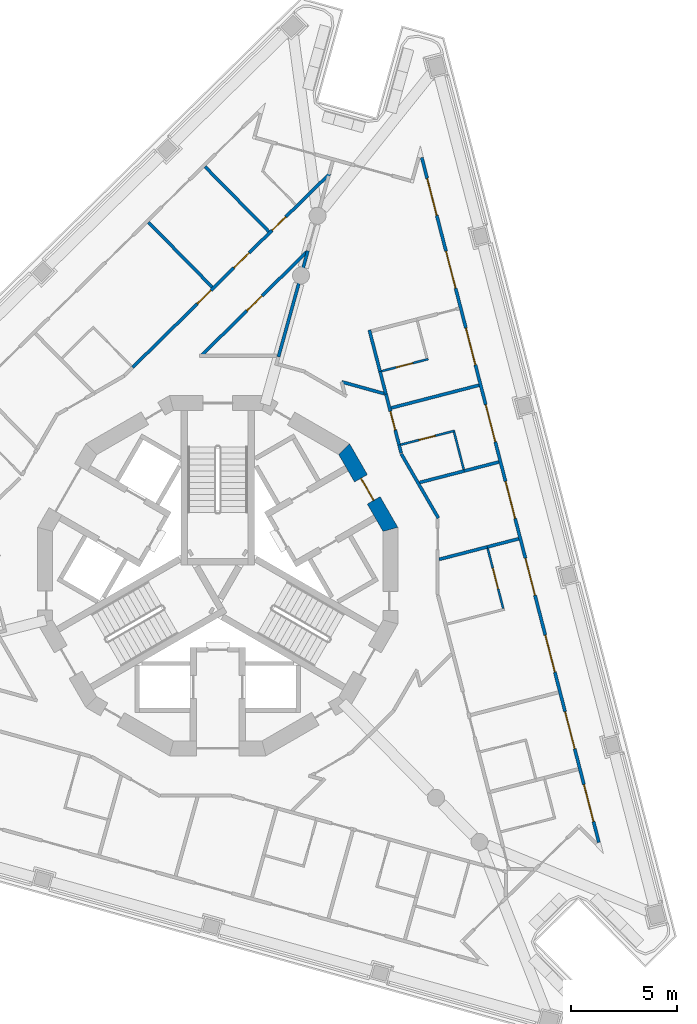
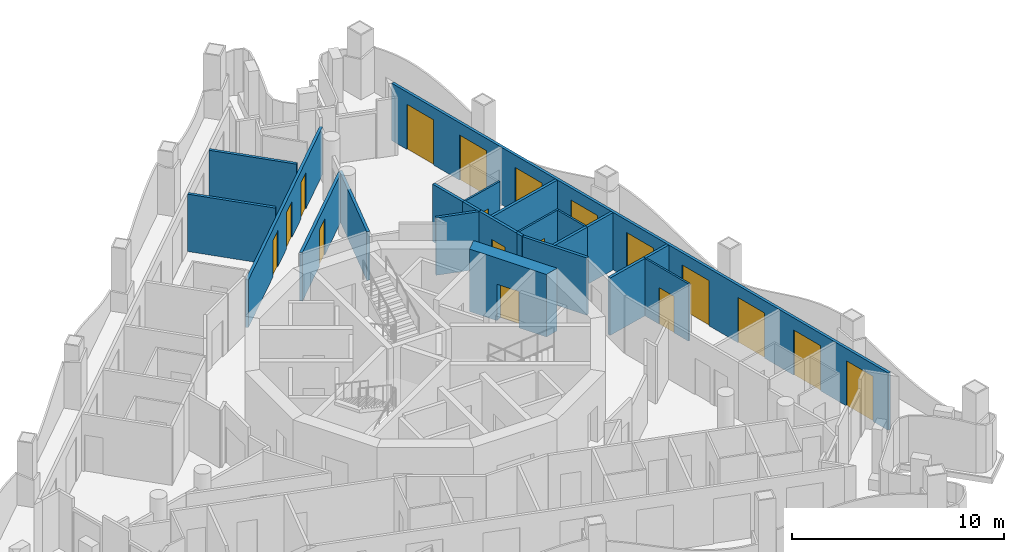
# One storey, part 7 of 14: 22 walls, 18 doors, 18 openings.
"""IFC4 building model written with IfcOpenShell, lengths in metres."""

from ifc_helpers import new_model, si_unit, direction, frame, frame_2d, origin, place, context, subcontext, project, spatial, polyline, rectangle, outline, extrude, material, layer, layer_set, type_object, element, fill, save


model = new_model("IFC4")

# Units and contexts
model_context = context("Model", 3, precision=1e-05, world=origin(), true_north=direction((0.0, 1.0)))
body_context = subcontext(model_context, "Body", "Model", "MODEL_VIEW")
ifc_project = project(units=[si_unit("LENGTHUNIT", "METRE"), si_unit("AREAUNIT", "SQUARE_METRE"), si_unit("VOLUMEUNIT", "CUBIC_METRE"), si_unit("PLANEANGLEUNIT", "RADIAN"), si_unit("MASSUNIT", "GRAM", prefix="KILO")], contexts=[model_context])

# Site, building, storey
site_placement = place(None, origin())
site = spatial("IfcSite", under=ifc_project, at=site_placement, CompositionType="ELEMENT")
building_placement = place(site_placement, origin())
building = spatial("IfcBuilding", under=site, at=building_placement, Name="Trine Commons Tower", CompositionType="ELEMENT")
storey_placement = place(building_placement, frame((0.0, 0.0, 245.699951171875)))
storey = spatial("IfcBuildingStorey", under=building, at=storey_placement, Name="L64", CompositionType="ELEMENT", Elevation=245.699951171875)

# Wall, openings, doors
ifc_material_1 = material(Name="Aluminium-framed insulated wall panel", Category="aluminium")
ifc_layer_1 = layer(ifc_material_1, 0.14990234375)
ifc_layer_set_1 = layer_set([ifc_layer_1], Name="Aluminium-framed insulated wall panel")
wall_type_1 = type_object("IfcWallType", Name="Glazed frame wall 150, EI 60", PredefinedType="SOLIDWALL", material=ifc_layer_set_1)
wall_1_placement = place(storey_placement, frame((89.59130859375, 82.377685546875, 0.0), z_axis=(0.0, 0.0, 1.0), x_axis=(0.250378839788, -0.968147941477, 0.0)))
wall_1 = element("IfcWall", 1, at=wall_1_placement, inside=storey, type_object=wall_type_1, Name="Glazed frame wall F2", PredefinedType="SOLIDWALL", context=body_context, shape_type="SweptSolid", body=[
    extrude(outline(polyline([(0.1494140625, 0.074951171875), (0.1494140625, -0.074951171875), (33.536865234375, -0.074951171875), (33.536865234375, 0.074951171875), (0.1494140625, 0.074951171875)])), origin(), (0.0, 0.0, 1.0), 3.300048828125),
])
opening_1_placement = place(wall_1_placement, frame((1.17138671875, 0.0, 0.0)))
opening_1 = element("IfcOpeningElement", 2, at=opening_1_placement, cuts=wall_1, Name="Opening BD-7F2-01", PredefinedType="OPENING", context=body_context, shape_type="SweptSolid", body=[
    extrude(rectangle(XDim=1.800048828125, YDim=2.60009765625, at=frame_2d((0.89990234375, 1.300048828125))), frame((0.0, 0.0849609375, 0.0), z_axis=(0.0, -1.0, 0.0), x_axis=(1.0, 0.0, 0.0)), (0.0, 0.0, 1.0), 0.169921875),
])
opening_2_placement = place(wall_1_placement, frame((4.71435546875, 0.0, 0.0)))
opening_2 = element("IfcOpeningElement", 3, at=opening_2_placement, cuts=wall_1, Name="Opening BD-7F2-02", PredefinedType="OPENING", context=body_context, shape_type="SweptSolid", body=[
    extrude(rectangle(XDim=1.800048828125, YDim=2.60009765625, at=frame_2d((0.89990234375, 1.300048828125))), frame((0.0, 0.0849609375, 0.0), z_axis=(0.0, -1.0, 0.0), x_axis=(1.0, 0.0, 0.0)), (0.0, 0.0, 1.0), 0.169921875),
])
opening_3_placement = place(wall_1_placement, frame((8.457275390625, 0.0, 0.0)))
opening_3 = element("IfcOpeningElement", 4, at=opening_3_placement, cuts=wall_1, Name="Opening BD-7F2-03", PredefinedType="OPENING", context=body_context, shape_type="SweptSolid", body=[
    extrude(rectangle(XDim=1.800048828125, YDim=2.60009765625, at=frame_2d((0.89990234375, 1.300048828125))), frame((0.0, 0.0849609375, 0.0), z_axis=(0.0, -1.0, 0.0), x_axis=(1.0, 0.0, 0.0)), (0.0, 0.0, 1.0), 0.169921875),
])
opening_4_placement = place(wall_1_placement, frame((12.2001953125, 0.0, 0.0)))
opening_4 = element("IfcOpeningElement", 5, at=opening_4_placement, cuts=wall_1, Name="Opening BD-7F2-04", PredefinedType="OPENING", context=body_context, shape_type="SweptSolid", body=[
    extrude(rectangle(XDim=1.800048828125, YDim=2.60009765625, at=frame_2d((0.89990234375, 1.300048828125))), frame((0.0, 0.0849609375, 0.0), z_axis=(0.0, -1.0, 0.0), x_axis=(1.0, 0.0, 0.0)), (0.0, 0.0, 1.0), 0.169921875),
])
opening_5_placement = place(wall_1_placement, frame((15.943115234375, 0.0, 0.0)))
opening_5 = element("IfcOpeningElement", 6, at=opening_5_placement, cuts=wall_1, Name="Opening BD-7F2-05", PredefinedType="OPENING", context=body_context, shape_type="SweptSolid", body=[
    extrude(rectangle(XDim=1.800048828125, YDim=2.60009765625, at=frame_2d((0.89990234375, 1.300048828125))), frame((0.0, 0.0849609375, 0.0), z_axis=(0.0, -1.0, 0.0), x_axis=(1.0, 0.0, 0.0)), (0.0, 0.0, 1.0), 0.169921875),
])
opening_6_placement = place(wall_1_placement, frame((19.68603515625, 0.0, 0.0)))
opening_6 = element("IfcOpeningElement", 7, at=opening_6_placement, cuts=wall_1, Name="Opening BD-7F2-06", PredefinedType="OPENING", context=body_context, shape_type="SweptSolid", body=[
    extrude(rectangle(XDim=1.800048828125, YDim=2.60009765625, at=frame_2d((0.89990234375, 1.300048828125))), frame((0.0, 0.0849609375, 0.0), z_axis=(0.0, -1.0, 0.0), x_axis=(1.0, 0.0, 0.0)), (0.0, 0.0, 1.0), 0.169921875),
])
opening_7_placement = place(wall_1_placement, frame((23.428955078125, 0.0, 0.0)))
opening_7 = element("IfcOpeningElement", 8, at=opening_7_placement, cuts=wall_1, Name="Opening BD-7F2-07", PredefinedType="OPENING", context=body_context, shape_type="SweptSolid", body=[
    extrude(rectangle(XDim=1.800048828125, YDim=2.60009765625, at=frame_2d((0.89990234375, 1.300048828125))), frame((0.0, 0.0849609375, 0.0), z_axis=(0.0, -1.0, 0.0), x_axis=(1.0, 0.0, 0.0)), (0.0, 0.0, 1.0), 0.169921875),
])
opening_8_placement = place(wall_1_placement, frame((27.171875, 0.0, 0.0)))
opening_8 = element("IfcOpeningElement", 9, at=opening_8_placement, cuts=wall_1, Name="Opening BD-7F2-08", PredefinedType="OPENING", context=body_context, shape_type="SweptSolid", body=[
    extrude(rectangle(XDim=1.800048828125, YDim=2.60009765625, at=frame_2d((0.89990234375, 1.300048828125))), frame((0.0, 0.0849609375, 0.0), z_axis=(0.0, -1.0, 0.0), x_axis=(1.0, 0.0, 0.0)), (0.0, 0.0, 1.0), 0.169921875),
])
opening_9_placement = place(wall_1_placement, frame((30.714599609375, 0.0, 0.0)))
opening_9 = element("IfcOpeningElement", 10, at=opening_9_placement, cuts=wall_1, Name="Opening BD-7F2-09", PredefinedType="OPENING", context=body_context, shape_type="SweptSolid", body=[
    extrude(rectangle(XDim=1.800048828125, YDim=2.60009765625, at=frame_2d((0.89990234375, 1.300048828125))), frame((0.0, 0.0849609375, 0.0), z_axis=(0.0, -1.0, 0.0), x_axis=(1.0, 0.0, 0.0)), (0.0, 0.0, 1.0), 0.169921875),
])
ifc_material_2 = material(Name="Anodised aluminium frame with double glazing", Category="aluminium")
door_type_1 = type_object("IfcDoorType", Name="Sliding loggia door 1800x2600", OperationType="SLIDING_TO_LEFT", PredefinedType="DOOR", material=ifc_material_2)
door_1_placement = place(opening_1_placement, origin())
door_1 = element("IfcDoor", 11, at=door_1_placement, inside=storey, type_object=door_type_1, Name="Loggia door F2 1", OperationType="SLIDING_TO_LEFT", OverallHeight=2.60009765625, OverallWidth=1.800048828125, PredefinedType="DOOR", context=body_context, shape_type="SweptSolid", body=[
    extrude(rectangle(XDim=1.800048828125, YDim=2.60009765625, at=frame_2d((0.89990234375, 1.300048828125))), frame((0.0, 0.02490234375, 0.0), z_axis=(0.0, -1.0, 0.0), x_axis=(1.0, 0.0, 0.0)), (0.0, 0.0, 1.0), 0.050048828125),
])
fill(opening_1, door_1)
door_2_placement = place(opening_2_placement, origin())
door_2 = element("IfcDoor", 12, at=door_2_placement, inside=storey, type_object=door_type_1, Name="Loggia door F2 2", OperationType="SLIDING_TO_LEFT", OverallHeight=2.60009765625, OverallWidth=1.800048828125, PredefinedType="DOOR", context=body_context, shape_type="SweptSolid", body=[
    extrude(rectangle(XDim=1.800048828125, YDim=2.60009765625, at=frame_2d((0.89990234375, 1.300048828125))), frame((0.0, 0.02490234375, 0.0), z_axis=(0.0, -1.0, 0.0), x_axis=(1.0, 0.0, 0.0)), (0.0, 0.0, 1.0), 0.050048828125),
])
fill(opening_2, door_2)
door_3_placement = place(opening_3_placement, origin())
door_3 = element("IfcDoor", 13, at=door_3_placement, inside=storey, type_object=door_type_1, Name="Loggia door F2 3", OperationType="SLIDING_TO_LEFT", OverallHeight=2.60009765625, OverallWidth=1.800048828125, PredefinedType="DOOR", context=body_context, shape_type="SweptSolid", body=[
    extrude(rectangle(XDim=1.800048828125, YDim=2.60009765625, at=frame_2d((0.89990234375, 1.300048828125))), frame((0.0, 0.02490234375, 0.0), z_axis=(0.0, -1.0, 0.0), x_axis=(1.0, 0.0, 0.0)), (0.0, 0.0, 1.0), 0.050048828125),
])
fill(opening_3, door_3)
door_4_placement = place(opening_4_placement, origin())
door_4 = element("IfcDoor", 14, at=door_4_placement, inside=storey, type_object=door_type_1, Name="Loggia door F2 4", OperationType="SLIDING_TO_LEFT", OverallHeight=2.60009765625, OverallWidth=1.800048828125, PredefinedType="DOOR", context=body_context, shape_type="SweptSolid", body=[
    extrude(rectangle(XDim=1.800048828125, YDim=2.60009765625, at=frame_2d((0.89990234375, 1.300048828125))), frame((0.0, 0.02490234375, 0.0), z_axis=(0.0, -1.0, 0.0), x_axis=(1.0, 0.0, 0.0)), (0.0, 0.0, 1.0), 0.050048828125),
])
fill(opening_4, door_4)
door_5_placement = place(opening_5_placement, origin())
door_5 = element("IfcDoor", 15, at=door_5_placement, inside=storey, type_object=door_type_1, Name="Loggia door F2 5", OperationType="SLIDING_TO_LEFT", OverallHeight=2.60009765625, OverallWidth=1.800048828125, PredefinedType="DOOR", context=body_context, shape_type="SweptSolid", body=[
    extrude(rectangle(XDim=1.800048828125, YDim=2.60009765625, at=frame_2d((0.89990234375, 1.300048828125))), frame((0.0, 0.02490234375, 0.0), z_axis=(0.0, -1.0, 0.0), x_axis=(1.0, 0.0, 0.0)), (0.0, 0.0, 1.0), 0.050048828125),
])
fill(opening_5, door_5)
door_6_placement = place(opening_6_placement, origin())
door_6 = element("IfcDoor", 16, at=door_6_placement, inside=storey, type_object=door_type_1, Name="Loggia door F2 6", OperationType="SLIDING_TO_LEFT", OverallHeight=2.60009765625, OverallWidth=1.800048828125, PredefinedType="DOOR", context=body_context, shape_type="SweptSolid", body=[
    extrude(rectangle(XDim=1.800048828125, YDim=2.60009765625, at=frame_2d((0.89990234375, 1.300048828125))), frame((0.0, 0.02490234375, 0.0), z_axis=(0.0, -1.0, 0.0), x_axis=(1.0, 0.0, 0.0)), (0.0, 0.0, 1.0), 0.050048828125),
])
fill(opening_6, door_6)
door_7_placement = place(opening_7_placement, origin())
door_7 = element("IfcDoor", 17, at=door_7_placement, inside=storey, type_object=door_type_1, Name="Loggia door F2 7", OperationType="SLIDING_TO_LEFT", OverallHeight=2.60009765625, OverallWidth=1.800048828125, PredefinedType="DOOR", context=body_context, shape_type="SweptSolid", body=[
    extrude(rectangle(XDim=1.800048828125, YDim=2.60009765625, at=frame_2d((0.89990234375, 1.300048828125))), frame((0.0, 0.02490234375, 0.0), z_axis=(0.0, -1.0, 0.0), x_axis=(1.0, 0.0, 0.0)), (0.0, 0.0, 1.0), 0.050048828125),
])
fill(opening_7, door_7)
door_8_placement = place(opening_8_placement, origin())
door_8 = element("IfcDoor", 18, at=door_8_placement, inside=storey, type_object=door_type_1, Name="Loggia door F2 8", OperationType="SLIDING_TO_LEFT", OverallHeight=2.60009765625, OverallWidth=1.800048828125, PredefinedType="DOOR", context=body_context, shape_type="SweptSolid", body=[
    extrude(rectangle(XDim=1.800048828125, YDim=2.60009765625, at=frame_2d((0.89990234375, 1.300048828125))), frame((0.0, 0.02490234375, 0.0), z_axis=(0.0, -1.0, 0.0), x_axis=(1.0, 0.0, 0.0)), (0.0, 0.0, 1.0), 0.050048828125),
])
fill(opening_8, door_8)
door_9_placement = place(opening_9_placement, origin())
door_9 = element("IfcDoor", 19, at=door_9_placement, inside=storey, type_object=door_type_1, Name="Loggia door F2 9", OperationType="SLIDING_TO_LEFT", OverallHeight=2.60009765625, OverallWidth=1.800048828125, PredefinedType="DOOR", context=body_context, shape_type="SweptSolid", body=[
    extrude(rectangle(XDim=1.800048828125, YDim=2.60009765625, at=frame_2d((0.89990234375, 1.300048828125))), frame((0.0, 0.02490234375, 0.0), z_axis=(0.0, -1.0, 0.0), x_axis=(1.0, 0.0, 0.0)), (0.0, 0.0, 1.0), 0.050048828125),
])
fill(opening_9, door_9)

# Wall, opening, door
ifc_material_3 = material(Name="Concrete C50/60", Category="concrete")
ifc_layer_2 = layer(ifc_material_3, 0.699951171875)
ifc_layer_set_2 = layer_set([ifc_layer_2], Name="Concrete C50/60")
wall_type_2 = type_object("IfcWallType", Name="RC shear wall 700 mm, C50/60", PredefinedType="SHEAR", material=ifc_layer_set_2)
wall_2_placement = place(storey_placement, frame((88.197021484375, 64.6025390625, 0.0), z_axis=(0.0, 0.0, 1.0), x_axis=(-0.499983800959, 0.866034756103, 0.0)))
wall_2 = element("IfcWall", 20, at=wall_2_placement, inside=storey, type_object=wall_type_2, Name="Core wall CWG-02 L64", PredefinedType="SHEAR", context=body_context, shape_type="SweptSolid", body=[
    extrude(outline(polyline([(0.0, -0.35009765625), (4.55517578125, -0.35009765625), (4.36767578125, 0.35009765625), (0.1875, 0.35009765625), (0.0, -0.35009765625)])), origin(), (0.0, 0.0, 1.0), 3.60009765625),
])
opening_10_placement = place(wall_2_placement, frame((1.677490234375, 0.0, 0.0)))
opening_10 = element("IfcOpeningElement", 21, at=opening_10_placement, cuts=wall_2, Name="Opening K16.04", PredefinedType="OPENING", context=body_context, shape_type="SweptSolid", body=[
    extrude(rectangle(XDim=1.199951171875, YDim=2.10009765625, at=frame_2d((0.60009765625, 1.050048828125))), frame((0.0, 0.35986328125, 0.0), z_axis=(0.0, -1.0, 0.0), x_axis=(1.0, 0.0, 0.0)), (0.0, 0.0, 1.0), 0.719970703125),
])
ifc_material_4 = material(Name="Steel door leaves, fire-rated", Category="steel")
door_type_2 = type_object("IfcDoorType", Name="Lobby door, double leaf 1200 x 2100, FD60", OperationType="DOUBLE_DOOR_SINGLE_SWING", PredefinedType="DOOR", material=ifc_material_4)
door_10_placement = place(opening_10_placement, origin())
door_10 = element("IfcDoor", 22, at=door_10_placement, inside=storey, type_object=door_type_2, Name="Lobby door, Core lounge L64", OperationType="DOUBLE_DOOR_SINGLE_SWING", OverallHeight=2.10009765625, OverallWidth=1.199951171875, PredefinedType="DOOR", context=body_context, shape_type="SweptSolid", body=[
    extrude(rectangle(XDim=1.199951171875, YDim=2.10009765625, at=frame_2d((0.60009765625, 1.050048828125))), frame((0.0, 0.02490234375, 0.0), z_axis=(0.0, -1.0, 0.0), x_axis=(1.0, 0.0, 0.0)), (0.0, 0.0, 1.0), 0.050048828125),
])
fill(opening_10, door_10)

# Wall, openings, doors
ifc_material_5 = material(Name="Gypsum plasterboard on steel stud", Category="steel")
ifc_layer_3 = layer(ifc_material_5, 0.14990234375)
ifc_layer_set_3 = layer_set([ifc_layer_3], Name="Gypsum plasterboard on steel stud")
wall_type_3 = type_object("IfcWallType", Name="Unit and corridor wall 150 mm, EI 60", PredefinedType="PARTITIONING", material=ifc_layer_set_3)
wall_3_placement = place(storey_placement, frame((75.97705078125, 72.324951171875, 0.0), z_axis=(0.0, 0.0, 1.0), x_axis=(0.713220688221, 0.700939547959, 0.0)))
wall_3 = element("IfcWall", 23, at=wall_3_placement, inside=storey, type_object=wall_type_3, Name="Partition 042", PredefinedType="PARTITIONING", context=body_context, shape_type="SweptSolid", body=[
    extrude(rectangle(XDim=13.08056640625, YDim=0.14990234375, at=frame_2d((6.540283203125, 0.0))), origin(), (0.0, 0.0, 1.0), 2.75),
])
opening_11_placement = place(wall_3_placement, frame((4.290283203125, 0.0, 0.0)))
opening_11 = element("IfcOpeningElement", 24, at=opening_11_placement, cuts=wall_3, Name="Opening D-7B07", PredefinedType="OPENING", context=body_context, shape_type="SweptSolid", body=[
    extrude(rectangle(XDim=0.89990234375, YDim=2.10009765625, at=frame_2d((0.449951171875, 1.050048828125))), frame((0.0, 0.0849609375, 0.0), z_axis=(0.0, -1.0, 0.0), x_axis=(1.0, 0.0, 0.0)), (0.0, 0.0, 1.0), 0.169921875),
])
opening_12_placement = place(wall_3_placement, frame((6.711669921875, 0.0, 0.0)))
opening_12 = element("IfcOpeningElement", 25, at=opening_12_placement, cuts=wall_3, Name="Opening D-7B08", PredefinedType="OPENING", context=body_context, shape_type="SweptSolid", body=[
    extrude(rectangle(XDim=1.0, YDim=2.10009765625, at=frame_2d((0.5, 1.050048828125))), frame((0.0, 0.0849609375, 0.0), z_axis=(0.0, -1.0, 0.0), x_axis=(1.0, 0.0, 0.0)), (0.0, 0.0, 1.0), 0.169921875),
])
opening_13_placement = place(wall_3_placement, frame((9.233154296875, 0.0, 0.0)))
opening_13 = element("IfcOpeningElement", 26, at=opening_13_placement, cuts=wall_3, Name="Opening D-7B09", PredefinedType="OPENING", context=body_context, shape_type="SweptSolid", body=[
    extrude(rectangle(XDim=0.89990234375, YDim=2.10009765625, at=frame_2d((0.449951171875, 1.050048828125))), frame((0.0, 0.0849609375, 0.0), z_axis=(0.0, -1.0, 0.0), x_axis=(1.0, 0.0, 0.0)), (0.0, 0.0, 1.0), 0.169921875),
])
ifc_material_6 = material(Name="Painted timber", Category="wood")
door_type_3 = type_object("IfcDoorType", Name="Amenity room door 1000 x 2100, NOT RATED", OperationType="NOTDEFINED", PredefinedType="DOOR", material=ifc_material_6)
door_11_placement = place(opening_12_placement, origin())
door_11 = element("IfcDoor", 27, at=door_11_placement, inside=storey, type_object=door_type_3, Name="Door D-7B08", OperationType="SINGLE_SWING_RIGHT", OverallHeight=2.10009765625, OverallWidth=1.0, PredefinedType="DOOR", context=body_context, shape_type="SweptSolid", body=[
    extrude(rectangle(XDim=1.0, YDim=2.10009765625, at=frame_2d((0.5, 1.050048828125))), frame((0.0, 0.02490234375, 0.0), z_axis=(0.0, -1.0, 0.0), x_axis=(1.0, 0.0, 0.0)), (0.0, 0.0, 1.0), 0.050048828125),
])
fill(opening_12, door_11)
ifc_material_7 = material(Name="Timber fire door set", Category="wood")
door_type_4 = type_object("IfcDoorType", Name="Bedroom door 900 x 2100, FD30S", OperationType="NOTDEFINED", PredefinedType="DOOR", material=ifc_material_7)
door_12_placement = place(opening_11_placement, origin())
door_12 = element("IfcDoor", 28, at=door_12_placement, inside=storey, type_object=door_type_4, Name="Door D-7B07", OperationType="SINGLE_SWING_LEFT", OverallHeight=2.10009765625, OverallWidth=0.89990234375, PredefinedType="DOOR", context=body_context, shape_type="SweptSolid", body=[
    extrude(rectangle(XDim=0.89990234375, YDim=2.10009765625, at=frame_2d((0.449951171875, 1.050048828125))), frame((0.0, 0.02490234375, 0.0), z_axis=(0.0, -1.0, 0.0), x_axis=(1.0, 0.0, 0.0)), (0.0, 0.0, 1.0), 0.050048828125),
])
fill(opening_11, door_12)
door_13_placement = place(opening_13_placement, origin())
door_13 = element("IfcDoor", 29, at=door_13_placement, inside=storey, type_object=door_type_4, Name="Door D-7B09", OperationType="SINGLE_SWING_RIGHT", OverallHeight=2.10009765625, OverallWidth=0.89990234375, PredefinedType="DOOR", context=body_context, shape_type="SweptSolid", body=[
    extrude(rectangle(XDim=0.89990234375, YDim=2.10009765625, at=frame_2d((0.449951171875, 1.050048828125))), frame((0.0, 0.02490234375, 0.0), z_axis=(0.0, -1.0, 0.0), x_axis=(1.0, 0.0, 0.0)), (0.0, 0.0, 1.0), 0.050048828125),
])
fill(opening_13, door_13)

# Wall
wall_4_placement = place(storey_placement, frame((76.72998046875, 79.177490234375, 0.0), z_axis=(0.0, 0.0, 1.0), x_axis=(0.70095501421, -0.713205487958, 0.0)))
element("IfcWall", 30, at=wall_4_placement, inside=storey, type_object=wall_type_3, Name="Partition 043", PredefinedType="PARTITIONING", context=body_context, shape_type="SweptSolid", body=[
    extrude(rectangle(XDim=4.28466796875, YDim=0.14990234375, at=frame_2d((2.142333984375, 0.0))), origin(), (0.0, 0.0, 1.0), 3.300048828125),
])

# Wall, opening, door
wall_5_placement = place(storey_placement, frame((79.265380859375, 72.927490234375, 0.0), z_axis=(0.0, 0.0, 1.0), x_axis=(0.713171352484, 0.700989744572, 0.0)))
wall_5 = element("IfcWall", 31, at=wall_5_placement, inside=storey, type_object=wall_type_3, Name="Partition 047", PredefinedType="PARTITIONING", context=body_context, shape_type="SweptSolid", body=[
    extrude(rectangle(XDim=6.914306640625, YDim=0.14990234375, at=frame_2d((3.45703125, 0.0))), origin(), (0.0, 0.0, 1.0), 2.800048828125),
])
opening_14_placement = place(wall_5_placement, frame((2.95703125, 0.0, 0.0)))
opening_14 = element("IfcOpeningElement", 32, at=opening_14_placement, cuts=wall_5, Name="Opening D-7B25", PredefinedType="OPENING", context=body_context, shape_type="SweptSolid", body=[
    extrude(rectangle(XDim=1.0, YDim=2.10009765625, at=frame_2d((0.5, 1.050048828125))), frame((0.0, 0.0849609375, 0.0), z_axis=(0.0, -1.0, 0.0), x_axis=(1.0, 0.0, 0.0)), (0.0, 0.0, 1.0), 0.169921875),
])
door_type_5 = type_object("IfcDoorType", Name="Toilet door 1000 x 2100, NOT RATED", OperationType="NOTDEFINED", PredefinedType="DOOR", material=ifc_material_6)
door_14_placement = place(opening_14_placement, frame((1.0, 0.0, 0.0), z_axis=(0.0, 0.0, 1.0), x_axis=(-1.0, 0.0, 0.0)))
door_14 = element("IfcDoor", 33, at=door_14_placement, inside=storey, type_object=door_type_5, Name="Door D-7B25", OperationType="SINGLE_SWING_RIGHT", OverallHeight=2.10009765625, OverallWidth=1.0, PredefinedType="DOOR", context=body_context, shape_type="SweptSolid", body=[
    extrude(rectangle(XDim=1.0, YDim=2.10009765625, at=frame_2d((0.5, 1.050048828125))), frame((0.0, 0.02490234375, 0.0), z_axis=(0.0, -1.0, 0.0), x_axis=(1.0, 0.0, 0.0)), (0.0, 0.0, 1.0), 0.050048828125),
])
fill(opening_14, door_14)

# Walls
wall_6_placement = place(storey_placement, frame((79.39892578125, 81.801513671875, 0.0), z_axis=(0.0, 0.0, 1.0), x_axis=(0.70095501421, -0.713205487958, 0.0)))
element("IfcWall", 34, at=wall_6_placement, inside=storey, type_object=wall_type_3, Name="Partition 048", PredefinedType="PARTITIONING", context=body_context, shape_type="SweptSolid", body=[
    extrude(rectangle(XDim=4.28466796875, YDim=0.14990234375, at=frame_2d((2.142333984375, 0.0))), origin(), (0.0, 0.0, 1.0), 3.300048828125),
])
wall_7_placement = place(storey_placement, frame((82.863037109375, 72.822998046875, 0.0), z_axis=(0.0, 0.0, 1.0), x_axis=(0.267297315726, 0.963614105857, 0.0)))
element("IfcWall", 35, at=wall_7_placement, inside=storey, type_object=wall_type_3, Name="Partition 058", PredefinedType="PARTITIONING", context=body_context, shape_type="SweptSolid", body=[
    extrude(rectangle(XDim=5.196044921875, YDim=0.14990234375, at=frame_2d((2.59814453125, 0.0))), origin(), (0.0, 0.0, 1.0), 2.800048828125),
])
wall_8_placement = place(storey_placement, frame((85.85205078125, 71.64599609375, 0.0), z_axis=(0.0, 0.0, 1.0), x_axis=(0.963638385721, -0.267209770713, 0.0)))
element("IfcWall", 36, at=wall_8_placement, inside=storey, type_object=wall_type_3, Name="Partition 069", PredefinedType="PARTITIONING", context=body_context, shape_type="SweptSolid", body=[
    extrude(rectangle(XDim=2.088623046875, YDim=0.14990234375, at=frame_2d((1.04443359375, 0.0))), origin(), (0.0, 0.0, 1.0), 3.300048828125),
])
wall_9_placement = place(storey_placement, frame((87.1533203125, 74.092529296875, 0.0), z_axis=(0.0, 0.0, 1.0), x_axis=(0.250236698058, -0.968184690514, 0.0)))
element("IfcWall", 37, at=wall_9_placement, inside=storey, type_object=wall_type_3, Name="Partition 072", PredefinedType="PARTITIONING", context=body_context, shape_type="SweptSolid", body=[
    extrude(rectangle(XDim=2.0791015625, YDim=0.14990234375, at=frame_2d((1.03955078125, 0.0))), origin(), (0.0, 0.0, 1.0), 3.300048828125),
])
wall_10_placement = place(storey_placement, frame((87.658935546875, 72.135986328125, 0.0), z_axis=(0.0, 0.0, 1.0), x_axis=(0.250686204405, -0.968068399919, 0.0)))
element("IfcWall", 38, at=wall_10_placement, inside=storey, type_object=wall_type_3, Name="Partition 076", PredefinedType="PARTITIONING", context=body_context, shape_type="SweptSolid", body=[
    extrude(rectangle(XDim=1.10546875, YDim=0.14990234375, at=frame_2d((0.552734375, 0.0))), origin(), (0.0, 0.0, 1.0), 3.300048828125),
])

# Wall, opening, door
wall_11_placement = place(storey_placement, frame((87.93798828125, 71.06689453125, 0.0), z_axis=(0.0, 0.0, 1.0), x_axis=(0.250288033439, -0.968171420936, 0.0)))
wall_11 = element("IfcWall", 39, at=wall_11_placement, inside=storey, type_object=wall_type_3, Name="Partition 078", PredefinedType="PARTITIONING", context=body_context, shape_type="SweptSolid", body=[
    extrude(rectangle(XDim=2.5390625, YDim=0.14990234375, at=frame_2d((1.26953125, 0.0))), origin(), (0.0, 0.0, 1.0), 3.300048828125),
])
opening_15_placement = place(wall_11_placement, frame((0.84228515625, 0.0, 0.0)))
opening_15 = element("IfcOpeningElement", 40, at=opening_15_placement, cuts=wall_11, Name="Opening D-7B11", PredefinedType="OPENING", context=body_context, shape_type="SweptSolid", body=[
    extrude(rectangle(XDim=0.89990234375, YDim=2.10009765625, at=frame_2d((0.449951171875, 1.050048828125))), frame((0.0, 0.0849609375, 0.0), z_axis=(0.0, -1.0, 0.0), x_axis=(1.0, 0.0, 0.0)), (0.0, 0.0, 1.0), 0.169921875),
])
door_15_placement = place(opening_15_placement, origin())
door_15 = element("IfcDoor", 41, at=door_15_placement, inside=storey, type_object=door_type_4, Name="Door D-7B11", OperationType="SINGLE_SWING_RIGHT", OverallHeight=2.10009765625, OverallWidth=0.89990234375, PredefinedType="DOOR", context=body_context, shape_type="SweptSolid", body=[
    extrude(rectangle(XDim=0.89990234375, YDim=2.10009765625, at=frame_2d((0.449951171875, 1.050048828125))), frame((0.0, 0.02490234375, 0.0), z_axis=(0.0, -1.0, 0.0), x_axis=(1.0, 0.0, 0.0)), (0.0, 0.0, 1.0), 0.050048828125),
])
fill(opening_15, door_15)

# Walls
wall_12_placement = place(storey_placement, frame((88.181640625, 70.414794921875, 0.0), z_axis=(0.0, 0.0, 1.0), x_axis=(0.968129527106, 0.250450032434, 0.0)))
element("IfcWall", 42, at=wall_12_placement, inside=storey, type_object=wall_type_3, Name="Partition 079", PredefinedType="PARTITIONING", context=body_context, shape_type="SweptSolid", body=[
    extrude(rectangle(XDim=4.28515625, YDim=0.14990234375, at=frame_2d((2.142578125, 0.0))), origin(), (0.0, 0.0, 1.0), 3.300048828125),
])
wall_13_placement = place(storey_placement, frame((88.5576171875, 68.670654296875, 0.0), z_axis=(0.0, 0.0, 1.0), x_axis=(0.249564283258, -0.96835823357, 0.0)))
element("IfcWall", 43, at=wall_13_placement, inside=storey, type_object=wall_type_3, Name="Partition 082", PredefinedType="PARTITIONING", context=body_context, shape_type="SweptSolid", body=[
    extrude(rectangle(XDim=0.400146484375, YDim=0.14990234375, at=frame_2d((0.2001953125, 0.0))), origin(), (0.0, 0.0, 1.0), 3.300048828125),
])
wall_14_placement = place(storey_placement, frame((88.659912109375, 68.2490234375, 0.0), z_axis=(0.0, 0.0, 1.0), x_axis=(0.500223035479, -0.865896595891, 0.0)))
element("IfcWall", 44, at=wall_14_placement, inside=storey, type_object=wall_type_3, Name="Partition 083", PredefinedType="PARTITIONING", context=body_context, shape_type="SweptSolid", body=[
    extrude(rectangle(XDim=3.50390625, YDim=0.14990234375, at=frame_2d((1.751953125, 0.0))), origin(), (0.0, 0.0, 1.0), 3.300048828125),
])
wall_15_placement = place(storey_placement, frame((89.525634765625, 66.896728515625, 0.0), z_axis=(0.0, 0.0, 1.0), x_axis=(0.96820093058, 0.250173855596, 0.0)))
element("IfcWall", 45, at=wall_15_placement, inside=storey, type_object=wall_type_3, Name="Partition 091", PredefinedType="PARTITIONING", context=body_context, shape_type="SweptSolid", body=[
    extrude(rectangle(XDim=2.17138671875, YDim=0.14990234375, at=frame_2d((1.085693359375, 0.0))), origin(), (0.0, 0.0, 1.0), 3.300048828125),
])
wall_16_placement = place(storey_placement, frame((90.447509765625, 63.268798828125, 0.0), z_axis=(0.0, 0.0, 1.0), x_axis=(0.968112624029, 0.250515363194, 0.0)))
element("IfcWall", 46, at=wall_16_placement, inside=storey, type_object=wall_type_3, Name="Partition 094", PredefinedType="PARTITIONING", context=body_context, shape_type="SweptSolid", body=[
    extrude(rectangle(XDim=2.3515625, YDim=0.14990234375, at=frame_2d((1.17578125, 0.0))), origin(), (0.0, 0.0, 1.0), 3.300048828125),
])
wall_17_placement = place(storey_placement, frame((91.6279296875, 67.43994140625, 0.0), z_axis=(0.0, 0.0, 1.0), x_axis=(0.968134256409, 0.250431750318, 0.0)))
element("IfcWall", 47, at=wall_17_placement, inside=storey, type_object=wall_type_3, Name="Partition 099", PredefinedType="PARTITIONING", context=body_context, shape_type="SweptSolid", body=[
    extrude(rectangle(XDim=1.693359375, YDim=0.14990234375, at=frame_2d((0.8466796875, 0.0))), origin(), (0.0, 0.0, 1.0), 3.300048828125),
])
wall_18_placement = place(storey_placement, frame((92.716064453125, 63.85595703125, 0.0), z_axis=(0.0, 0.0, 1.0), x_axis=(0.968129651739, 0.250449550655, 0.0)))
element("IfcWall", 48, at=wall_18_placement, inside=storey, type_object=wall_type_3, Name="Partition 104", PredefinedType="PARTITIONING", context=body_context, shape_type="SweptSolid", body=[
    extrude(rectangle(XDim=1.537353515625, YDim=0.14990234375, at=frame_2d((0.7685546875, 0.0))), origin(), (0.0, 0.0, 1.0), 3.300048828125),
])

# Wall, opening, door
ifc_layer_4 = layer(ifc_material_5, 0.10009765625)
ifc_layer_set_4 = layer_set([ifc_layer_4], Name="Gypsum plasterboard on steel stud")
wall_type_4 = type_object("IfcWallType", Name="Unit partition 100 mm, no rating", PredefinedType="PARTITIONING", material=ifc_layer_set_4)
wall_19_placement = place(storey_placement, frame((87.732666015625, 72.15087890625, 0.0), z_axis=(0.0, 0.0, 1.0), x_axis=(0.968154087165, 0.250355074856, 0.0)))
wall_19 = element("IfcWall", 49, at=wall_19_placement, inside=storey, type_object=wall_type_4, Name="Partition 077", PredefinedType="PARTITIONING", context=body_context, shape_type="SweptSolid", body=[
    extrude(rectangle(XDim=2.275146484375, YDim=0.10009765625, at=frame_2d((1.1376953125, 0.0))), origin(), (0.0, 0.0, 1.0), 3.300048828125),
])
opening_16_placement = place(wall_19_placement, frame((0.712646484375, 0.0, 0.0)))
opening_16 = element("IfcOpeningElement", 50, at=opening_16_placement, cuts=wall_19, Name="Opening D-7B30", PredefinedType="OPENING", context=body_context, shape_type="SweptSolid", body=[
    extrude(rectangle(XDim=0.800048828125, YDim=2.10009765625, at=frame_2d((0.39990234375, 1.050048828125))), frame((0.0, 0.06005859375, 0.0), z_axis=(0.0, -1.0, 0.0), x_axis=(1.0, 0.0, 0.0)), (0.0, 0.0, 1.0), 0.1201171875),
])
door_type_6 = type_object("IfcDoorType", Name="Internal door 800 x 2100, NOT RATED", OperationType="NOTDEFINED", PredefinedType="DOOR", material=ifc_material_6)
door_16_placement = place(opening_16_placement, frame((0.800048828125, 0.0, 0.0), z_axis=(0.0, 0.0, 1.0), x_axis=(-1.0, 0.0, 0.0)))
door_16 = element("IfcDoor", 51, at=door_16_placement, inside=storey, type_object=door_type_6, Name="Door D-7B30", OperationType="SINGLE_SWING_RIGHT", OverallHeight=2.10009765625, OverallWidth=0.800048828125, PredefinedType="DOOR", context=body_context, shape_type="SweptSolid", body=[
    extrude(rectangle(XDim=0.800048828125, YDim=2.10009765625, at=frame_2d((0.39990234375, 1.050048828125))), frame((0.0, 0.02490234375, 0.0), z_axis=(0.0, -1.0, 0.0), x_axis=(1.0, 0.0, 0.0)), (0.0, 0.0, 1.0), 0.050048828125),
])
fill(opening_16, door_16)

wall_20_placement = place(storey_placement, frame((88.630615234375, 68.6787109375, 0.0), z_axis=(0.0, 0.0, 1.0), x_axis=(0.968114849412, 0.250506763077, 0.0)))
wall_20 = element("IfcWall", 52, at=wall_20_placement, inside=storey, type_object=wall_type_4, Name="Partition 081", PredefinedType="PARTITIONING", context=body_context, shape_type="SweptSolid", body=[
    extrude(rectangle(XDim=2.64208984375, YDim=0.10009765625, at=frame_2d((1.321044921875, 0.0))), origin(), (0.0, 0.0, 1.0), 3.300048828125),
])
opening_17_placement = place(wall_20_placement, frame((0.89599609375, 0.0, 0.0)))
opening_17 = element("IfcOpeningElement", 53, at=opening_17_placement, cuts=wall_20, Name="Opening D-7B31", PredefinedType="OPENING", context=body_context, shape_type="SweptSolid", body=[
    extrude(rectangle(XDim=0.800048828125, YDim=2.10009765625, at=frame_2d((0.39990234375, 1.050048828125))), frame((0.0, 0.06005859375, 0.0), z_axis=(0.0, -1.0, 0.0), x_axis=(1.0, 0.0, 0.0)), (0.0, 0.0, 1.0), 0.1201171875),
])
door_17_placement = place(opening_17_placement, origin())
door_17 = element("IfcDoor", 54, at=door_17_placement, inside=storey, type_object=door_type_6, Name="Door D-7B31", OperationType="SINGLE_SWING_LEFT", OverallHeight=2.10009765625, OverallWidth=0.800048828125, PredefinedType="DOOR", context=body_context, shape_type="SweptSolid", body=[
    extrude(rectangle(XDim=0.800048828125, YDim=2.10009765625, at=frame_2d((0.39990234375, 1.050048828125))), frame((0.0, 0.02490234375, 0.0), z_axis=(0.0, -1.0, 0.0), x_axis=(1.0, 0.0, 0.0)), (0.0, 0.0, 1.0), 0.050048828125),
])
fill(opening_17, door_17)

# Wall
wall_21_placement = place(storey_placement, frame((91.152587890625, 69.279541015625, 0.0), z_axis=(0.0, 0.0, 1.0), x_axis=(0.250177423801, -0.968200008583, 0.0)))
element("IfcWall", 55, at=wall_21_placement, inside=storey, type_object=wall_type_4, Name="Partition 097", PredefinedType="PARTITIONING", context=body_context, shape_type="SweptSolid", body=[
    extrude(rectangle(XDim=1.824951171875, YDim=0.10009765625, at=frame_2d((0.91259765625, 0.0))), origin(), (0.0, 0.0, 1.0), 3.300048828125),
])

# Wall, opening, door
wall_22_placement = place(storey_placement, frame((92.73876953125, 63.784423828125, 0.0), z_axis=(0.0, 0.0, 1.0), x_axis=(0.25046104816, -0.968126677328, 0.0)))
wall_22 = element("IfcWall", 56, at=wall_22_placement, inside=storey, type_object=wall_type_4, Name="Partition 105", PredefinedType="PARTITIONING", context=body_context, shape_type="SweptSolid", body=[
    extrude(rectangle(XDim=2.92529296875, YDim=0.10009765625, at=frame_2d((1.462646484375, 0.0))), origin(), (0.0, 0.0, 1.0), 3.300048828125),
])
opening_18_placement = place(wall_22_placement, frame((0.962646484375, 0.0, 0.0)))
opening_18 = element("IfcOpeningElement", 57, at=opening_18_placement, cuts=wall_22, Name="Opening D-7B32", PredefinedType="OPENING", context=body_context, shape_type="SweptSolid", body=[
    extrude(rectangle(XDim=1.0, YDim=2.10009765625, at=frame_2d((0.5, 1.050048828125))), frame((0.0, 0.06005859375, 0.0), z_axis=(0.0, -1.0, 0.0), x_axis=(1.0, 0.0, 0.0)), (0.0, 0.0, 1.0), 0.1201171875),
])
door_type_7 = type_object("IfcDoorType", Name="Internal door 1000 x 2100, NOT RATED", OperationType="NOTDEFINED", PredefinedType="DOOR", material=ifc_material_6)
door_18_placement = place(opening_18_placement, origin())
door_18 = element("IfcDoor", 58, at=door_18_placement, inside=storey, type_object=door_type_7, Name="Door D-7B32", OperationType="SINGLE_SWING_LEFT", OverallHeight=2.10009765625, OverallWidth=1.0, PredefinedType="DOOR", context=body_context, shape_type="SweptSolid", body=[
    extrude(rectangle(XDim=1.0, YDim=2.10009765625, at=frame_2d((0.5, 1.050048828125))), frame((0.0, 0.02490234375, 0.0), z_axis=(0.0, -1.0, 0.0), x_axis=(1.0, 0.0, 0.0)), (0.0, 0.0, 1.0), 0.050048828125),
])
fill(opening_18, door_18)

save(model, "model.ifc")
